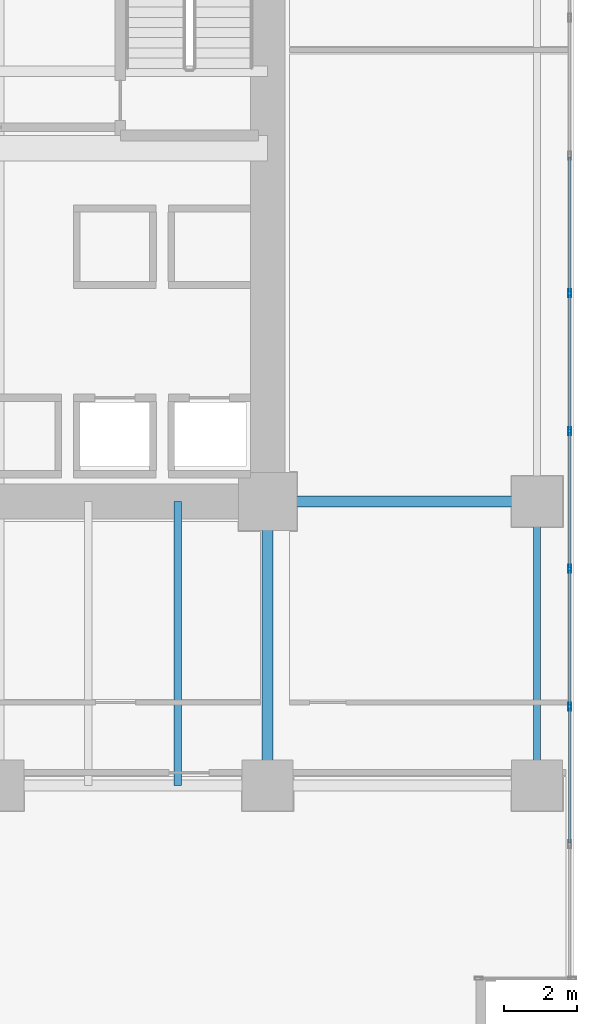
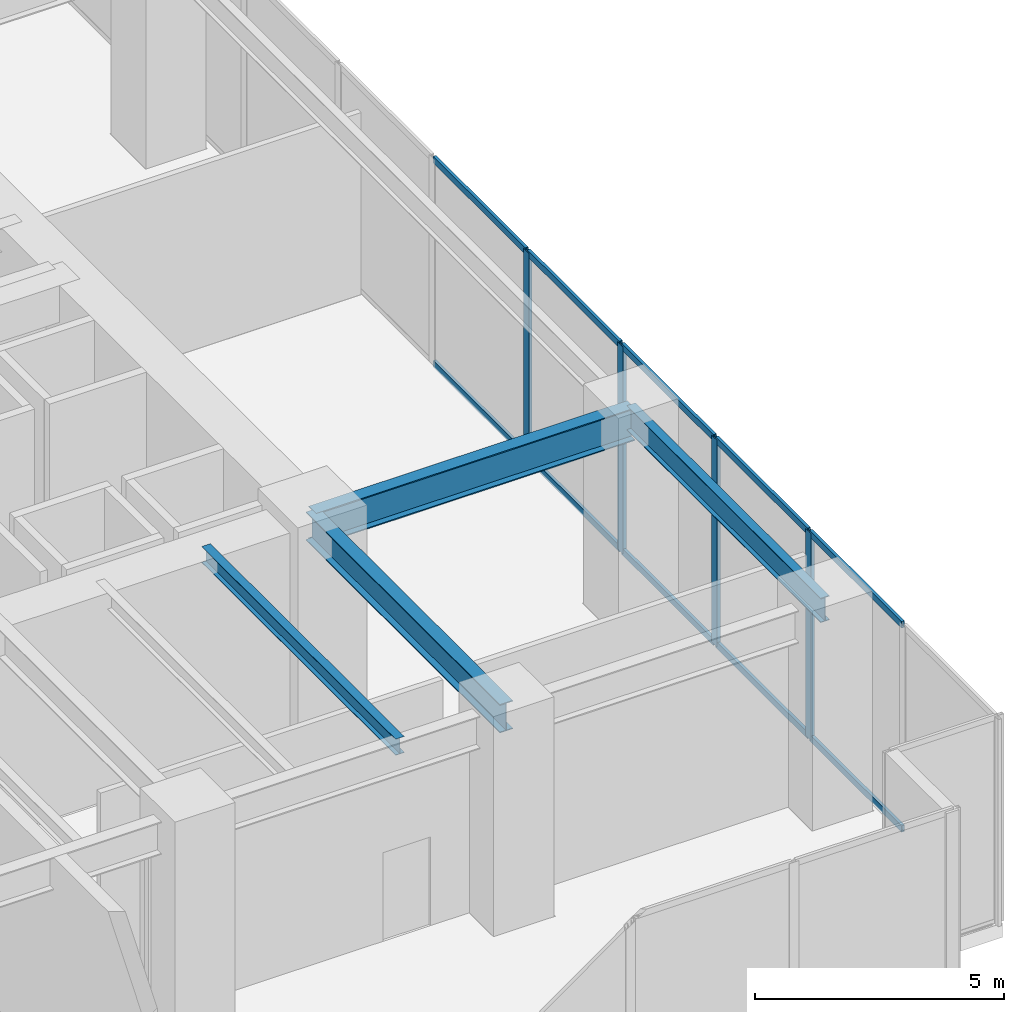
# One storey, part 20 of 35: 14 members, 4 beams, 1 element without a shape of its own.
"""IFC4 building model written with IfcOpenShell, lengths in metres."""

import ifcopenshell
import ifcopenshell.guid

model = None  # the IFC model being written
_history = None  # IfcOwnerHistory: only IFC2X3 demands one
_inside = {}  # id of a spatial element -> (the spatial element, [elements in it])
_under = {}  # id of a project, library or spatial element -> (it, [spatial elements below it])
_declared = {}  # id of a project -> (the project, [libraries it declares])
_typed = {}  # id of a type object -> (the type object, [elements of that type])
_made_of = {}  # id of a material, layer set ... -> (it, [elements and type objects made of it])


def new_model(schema):
    """Start an empty IFC model of exactly this schema.

    Asked for "IFC4X3", IfcOpenShell would pick the latest addendum, in which some entities
    have other attributes; the version numbers below select the first issue.
    IFC2X3 requires an IfcOwnerHistory on every rooted entity: one is made here for all.
    """
    global model, _history
    if schema == "IFC4X3":
        model = ifcopenshell.file(schema_version=(4, 3, 0, 0))
    else:
        model = ifcopenshell.file(schema=schema)
    _inside.clear()
    _under.clear()
    _declared.clear()
    _typed.clear()
    _made_of.clear()
    _history = None
    if model.schema == "IFC2X3":
        org = make("IfcOrganization", Name="unknown")
        user = make(
            "IfcPersonAndOrganization",
            ThePerson=make("IfcPerson", FamilyName="unknown"),
            TheOrganization=org,
        )
        app = make(
            "IfcApplication",
            ApplicationDeveloper=org,
            Version="unknown",
            ApplicationFullName="unknown",
            ApplicationIdentifier="unknown",
        )
        _history = make(
            "IfcOwnerHistory",
            OwningUser=user,
            OwningApplication=app,
            ChangeAction="ADDED",
            CreationDate=0,
        )
    return model


def make(cls, **values):
    """One entity of the class cls with the attributes given. An attribute that is None is left unset."""
    return model.create_entity(
        cls, **{name: value for name, value in values.items() if value is not None}
    )


def rooted(cls, **values):
    """An entity with a GlobalId (a new one), such as an element, a storey or a relation."""
    return make(cls, GlobalId=ifcopenshell.guid.new(), OwnerHistory=_history, **values)


def si_unit(unit_type, name, prefix=None):
    """IfcSIUnit, for example si_unit("LENGTHUNIT", "METRE", prefix="MILLI")."""
    return make("IfcSIUnit", UnitType=unit_type, Prefix=prefix, Name=name)


def assignment(units):
    """IfcUnitAssignment: the units of a project."""
    return None if units is None else make("IfcUnitAssignment", Units=units)


def point(xyz):
    """IfcCartesianPoint."""
    return None if xyz is None else make("IfcCartesianPoint", Coordinates=xyz)


def direction(xyz):
    """IfcDirection."""
    return None if xyz is None else make("IfcDirection", DirectionRatios=xyz)


def frame(location, z_axis=None, x_axis=None):
    """IfcAxis2Placement3D, a coordinate frame: its origin and axes. An axis left out is left unset."""
    return make(
        "IfcAxis2Placement3D",
        Location=point(location),
        Axis=direction(z_axis),
        RefDirection=direction(x_axis),
    )


def frame_2d(location, x_axis=None):
    """IfcAxis2Placement2D, a coordinate frame in the plane: its origin and x axis."""
    return make(
        "IfcAxis2Placement2D", Location=point(location), RefDirection=direction(x_axis)
    )


def origin():
    """The frame at (0, 0, 0) with its axes left unset."""
    return frame((0.0, 0.0, 0.0))


def origin_2d():
    """The frame at (0, 0) in the plane with its x axis left unset."""
    return frame_2d((0.0, 0.0))


def place(relative_to, where):
    """IfcLocalPlacement: puts the frame where relative to a parent placement (None: the world)."""
    return make(
        "IfcLocalPlacement", PlacementRelTo=relative_to, RelativePlacement=where
    )


def context(
    kind, dimensions, precision=None, world=None, true_north=None, identifier=None
):
    """IfcGeometricRepresentationContext, for example the 3D "Model" context."""
    return make(
        "IfcGeometricRepresentationContext",
        ContextIdentifier=identifier,
        ContextType=kind,
        CoordinateSpaceDimension=dimensions,
        Precision=precision,
        WorldCoordinateSystem=world,
        TrueNorth=true_north,
    )


def subcontext(parent, identifier, kind, view, scale=None):
    """IfcGeometricRepresentationSubContext, for example "Body" below "Model"."""
    return make(
        "IfcGeometricRepresentationSubContext",
        ContextIdentifier=identifier,
        ContextType=kind,
        ParentContext=parent,
        TargetScale=scale,
        TargetView=view,
    )


def project(units=None, contexts=None):
    """IfcProject with its units and contexts."""
    return rooted(
        "IfcProject",
        Name="project",
        RepresentationContexts=contexts,
        UnitsInContext=assignment(units),
    )


def spatial(cls, under=None, at=None, **own):
    """A site, building, storey or space (cls), placed at a placement, below another one or the project."""
    s = rooted(cls, ObjectPlacement=at, **own)
    if under is not None:
        _under.setdefault(under.id(), (under, []))[1].append(s)
    return s


def profile(cls, at=None, kind="AREA", **sizes):
    """A parametric profile (cls). Its sizes go by their IFC names, for example OverallWidth=200.0."""
    return make(cls, ProfileType=kind, Position=at, **sizes)


def hollow_rectangle(**sizes):
    """IfcRectangleHollowProfileDef."""
    return profile("IfcRectangleHollowProfileDef", **sizes)


def i_section(**sizes):
    """IfcIShapeProfileDef."""
    return profile("IfcIShapeProfileDef", **sizes)


def extrude(swept, where, along, depth):
    """IfcExtrudedAreaSolid: the profile swept, set in the frame where, extruded along a direction by depth."""
    return make(
        "IfcExtrudedAreaSolid",
        SweptArea=swept,
        Position=where,
        ExtrudedDirection=direction(along),
        Depth=depth,
    )


def shape(context_of_items, identifier, shape_type, items):
    """IfcShapeRepresentation: the items that make up one representation, for example the "Body"."""
    return make(
        "IfcShapeRepresentation",
        ContextOfItems=context_of_items,
        RepresentationIdentifier=identifier,
        RepresentationType=shape_type,
        Items=items,
    )


def source(mapping_origin, context_of_items, identifier, shape_type, items):
    """IfcRepresentationMap: a shape defined once, which mapped items show again and again."""
    return make(
        "IfcRepresentationMap",
        MappingOrigin=mapping_origin,
        MappedRepresentation=shape(context_of_items, identifier, shape_type, items),
    )


def transform(
    local_origin,
    x_axis=None,
    y_axis=None,
    z_axis=None,
    scale=None,
    scale2=None,
    scale3=None,
    uniform=True,
):
    """IfcCartesianTransformationOperator3D, or its non-uniform kind. x_axis, y_axis, z_axis: its Axis1, 2, 3."""
    if uniform:
        return make(
            "IfcCartesianTransformationOperator3D",
            Axis1=direction(x_axis),
            Axis2=direction(y_axis),
            LocalOrigin=point(local_origin),
            Scale=scale,
            Axis3=direction(z_axis),
        )
    return make(
        "IfcCartesianTransformationOperator3DnonUniform",
        Axis1=direction(x_axis),
        Axis2=direction(y_axis),
        LocalOrigin=point(local_origin),
        Scale=scale,
        Axis3=direction(z_axis),
        Scale2=scale2,
        Scale3=scale3,
    )


def mapped(mapping_source, mapping_target):
    """IfcMappedItem: shows the shape of a source again, moved by a transform."""
    return make(
        "IfcMappedItem", MappingSource=mapping_source, MappingTarget=mapping_target
    )


def material(Name=None, Category=None):
    """IfcMaterial."""
    return make("IfcMaterial", Name=Name, Category=Category)


def layer(
    of_material, thickness, ventilated=None, Name=None, Category=None, Priority=None
):
    """IfcMaterialLayer: one layer of a wall or slab, of a material (None: an air gap)."""
    return make(
        "IfcMaterialLayer",
        Material=of_material,
        LayerThickness=thickness,
        IsVentilated=ventilated,
        Name=Name,
        Category=Category,
        Priority=Priority,
    )


def layer_set(layers, Name=None):
    """IfcMaterialLayerSet."""
    return make("IfcMaterialLayerSet", MaterialLayers=layers, LayerSetName=Name)


def material_profile(
    of_material, cross_section, Name=None, Category=None, Priority=None
):
    """IfcMaterialProfile: a cross section and its material."""
    return make(
        "IfcMaterialProfile",
        Name=Name,
        Material=of_material,
        Profile=cross_section,
        Priority=Priority,
        Category=Category,
    )


def profile_set(profiles, Name=None, composite=None):
    """IfcMaterialProfileSet."""
    return make(
        "IfcMaterialProfileSet",
        Name=Name,
        MaterialProfiles=profiles,
        CompositeProfile=composite,
    )


def made_of(thing, what):
    """Note that an element or type object is made of a material, layer set ...; save() writes the relation."""
    if what is not None:
        _made_of.setdefault(what.id(), (what, []))[1].append(thing)
    return thing


def type_object(cls, material=None, **own):
    """A type object (cls), such as IfcWallType, which elements share."""
    return made_of(rooted(cls, **own), material)


def type_shapes(of_type, sources):
    """Give a type object the sources (RepresentationMaps) that its elements show as mapped items."""
    of_type.RepresentationMaps = sources


def element(
    cls,
    number,
    at=None,
    inside=None,
    cuts=None,
    type_object=None,
    material=None,
    context=None,
    identifier="Body",
    shape_type=None,
    held_by="IfcProductDefinitionShape",
    body=None,
    shapes=None,
    **own,
):
    """One element of the class cls, such as IfcWall. Its Tag is "e" and its number.

    at: its placement. inside: the storey or other place that contains it. cuts: it is an
    opening in that element (IfcRelVoidsElement). A single representation is given by context,
    identifier, shape_type and body (its items); several are given by shapes. held_by: the class
    of the entity that holds the representations. save() writes the other relations.
    """
    e = rooted(cls, Tag="e%d" % number, ObjectPlacement=at, **own)
    if body is not None:
        shapes = [shape(context, identifier, shape_type, body)]
    if shapes is not None:
        e.Representation = make(held_by, Representations=shapes)
    if inside is not None:
        _inside.setdefault(inside.id(), (inside, []))[1].append(e)
    if cuts is not None:
        rooted(
            "IfcRelVoidsElement", RelatingBuildingElement=cuts, RelatedOpeningElement=e
        )
    if type_object is not None:
        _typed.setdefault(type_object.id(), (type_object, []))[1].append(e)
    return made_of(e, material)


def aggregate(whole, parts):
    """IfcRelAggregates: a whole, such as a stair, and the parts it consists of."""
    return rooted("IfcRelAggregates", RelatingObject=whole, RelatedObjects=parts)


def save(model, path):
    """Write the relations noted so far, then the file.

    IfcRelAggregates (storeys below a building ...), IfcRelContainedInSpatialStructure (elements
    in a storey), IfcRelDefinesByType, IfcRelAssociatesMaterial and IfcRelDeclares: one each for
    every whole, place, type object, material and project.
    """
    for whole, parts in _under.values():
        aggregate(whole, parts)
    for where, things in _inside.values():
        rooted(
            "IfcRelContainedInSpatialStructure",
            RelatedElements=things,
            RelatingStructure=where,
        )
    for kind, things in _typed.values():
        rooted("IfcRelDefinesByType", RelatedObjects=things, RelatingType=kind)
    for what, things in _made_of.values():
        rooted("IfcRelAssociatesMaterial", RelatedObjects=things, RelatingMaterial=what)
    for by, libraries in _declared.values():
        rooted("IfcRelDeclares", RelatingContext=by, RelatedDefinitions=libraries)
    model.write(path)


model = new_model("IFC4")

# Units and contexts
model_context = context("Model", 3, precision=1e-05, world=origin(), true_north=direction((0.0, 1.0)))
body_context = subcontext(model_context, "Body", "Model", "MODEL_VIEW")
ifc_project = project(units=[si_unit("LENGTHUNIT", "METRE"), si_unit("AREAUNIT", "SQUARE_METRE"), si_unit("VOLUMEUNIT", "CUBIC_METRE"), si_unit("PLANEANGLEUNIT", "RADIAN"), si_unit("MASSUNIT", "GRAM", prefix="KILO")], contexts=[model_context])

# Site, building, storey
site_placement = place(None, origin())
site = spatial("IfcSite", under=ifc_project, at=site_placement, CompositionType="ELEMENT")
building_placement = place(site_placement, origin())
building = spatial("IfcBuilding", under=site, at=building_placement, Name="Haelvirn Gate Laboratories", CompositionType="ELEMENT")
storey_placement = place(building_placement, frame((0.0, 0.0, 19.800048828125)))
storey = spatial("IfcBuildingStorey", under=building, at=storey_placement, Name="L05", CompositionType="ELEMENT", Elevation=19.800048828125)

# Beams
ifc_material_1 = material(Name="Steel SM420", Category="steel")
ifc_material_profile_1 = material_profile(ifc_material_1, i_section(OverallWidth=0.300048828125, OverallDepth=0.800048828125, WebThickness=0.013916015625, FlangeThickness=0.02587890625, at=origin_2d()), Name="H-800x300x14x26")
ifc_profile_set_1 = profile_set([ifc_material_profile_1], Name="Steel SM420")
beam_type_1 = type_object("IfcBeamType", Name="BM-G-800", PredefinedType="BEAM", material=ifc_profile_set_1)
shared_shape_1 = source(origin(), body_context, "Body", "SweptSolid", [
    extrude(i_section(OverallWidth=0.300048828125, OverallDepth=0.800048828125, WebThickness=0.013916015625, FlangeThickness=0.02587890625, at=origin_2d()), origin(), (0.0, 0.0, 1.0), 7.400146484375),
])
type_shapes(beam_type_1, [shared_shape_1])
beam_1_placement = place(storey_placement, frame((67.39990234375, 14.800048828125, 4.679931640625), z_axis=(1.0, 0.0, 0.0), x_axis=(0.0, 1.0, 0.0)))
element("IfcBeam", 1, at=beam_1_placement, inside=storey, type_object=beam_type_1, Name="L05 Primary Girder Y14.8 (67.4-74.8)", PredefinedType="BEAM", context=body_context, shape_type="MappedRepresentation", body=[
    mapped(shared_shape_1, transform((0.0, 0.0, 0.0), scale=1.0)),
])
ifc_material_2 = material(Name="Steel SM355", Category="steel")
ifc_material_profile_2 = material_profile(ifc_material_2, i_section(OverallWidth=0.199951171875, OverallDepth=0.60009765625, WebThickness=0.010986328125, FlangeThickness=0.01708984375, at=origin_2d()), Name="H-600x200x11x17")
ifc_profile_set_2 = profile_set([ifc_material_profile_2], Name="Steel SM355")
beam_type_2 = type_object("IfcBeamType", Name="BM-SP-600", PredefinedType="SPANDREL", material=ifc_profile_set_2)
shared_shape_2 = source(origin(), body_context, "Body", "SweptSolid", [
    extrude(i_section(OverallWidth=0.199951171875, OverallDepth=0.60009765625, WebThickness=0.010986328125, FlangeThickness=0.01708984375, at=origin_2d()), origin(), (0.0, 0.0, 1.0), 7.800048828125),
])
type_shapes(beam_type_2, [shared_shape_2])
beam_2_placement = place(storey_placement, frame((74.800048828125, 7.0, 4.780029296875), z_axis=(0.0, 1.0, 0.0), x_axis=(-1.0, 0.0, 0.0)))
element("IfcBeam", 2, at=beam_2_placement, inside=storey, type_object=beam_type_2, Name="L05 Perimeter Spandrel X74.8 (7.0-14.8)", PredefinedType="SPANDREL", context=body_context, shape_type="MappedRepresentation", body=[
    mapped(shared_shape_2, transform((0.0, 0.0, 0.0), scale=1.0)),
])
ifc_material_profile_3 = material_profile(ifc_material_2, i_section(OverallWidth=0.199951171875, OverallDepth=0.39990234375, WebThickness=0.008056640625, FlangeThickness=0.012939453125, at=origin_2d()), Name="H-400x200x8x13")
ifc_profile_set_3 = profile_set([ifc_material_profile_3], Name="Steel SM355")
beam_type_3 = type_object("IfcBeamType", Name="BM-J-400", PredefinedType="JOIST", material=ifc_profile_set_3)
shared_shape_3 = source(origin(), body_context, "Body", "SweptSolid", [
    extrude(i_section(OverallWidth=0.199951171875, OverallDepth=0.39990234375, WebThickness=0.008056640625, FlangeThickness=0.012939453125, at=origin_2d()), origin(), (0.0, 0.0, 1.0), 7.800048828125),
])
type_shapes(beam_type_3, [shared_shape_3])
beam_3_placement = place(storey_placement, frame((64.929931640625, 7.0, 4.8798828125), z_axis=(0.0, 1.0, 0.0), x_axis=(-1.0, 0.0, 0.0)))
element("IfcBeam", 3, at=beam_3_placement, inside=storey, type_object=beam_type_3, Name="L05 Composite Lab Joist South X64.93", PredefinedType="JOIST", context=body_context, shape_type="MappedRepresentation", body=[
    mapped(shared_shape_3, transform((0.0, 0.0, 0.0), scale=1.0)),
])
ifc_material_profile_4 = material_profile(ifc_material_2, i_section(OverallWidth=0.300048828125, OverallDepth=0.699951171875, WebThickness=0.012939453125, FlangeThickness=0.02392578125, at=origin_2d()), Name="H-700x300x13x24")
ifc_profile_set_4 = profile_set([ifc_material_profile_4], Name="Steel SM355")
beam_type_4 = type_object("IfcBeamType", Name="BM-G-700", PredefinedType="BEAM", material=ifc_profile_set_4)
shared_shape_4 = source(origin(), body_context, "Body", "SweptSolid", [
    extrude(i_section(OverallWidth=0.300048828125, OverallDepth=0.699951171875, WebThickness=0.012939453125, FlangeThickness=0.02392578125, at=origin_2d()), origin(), (0.0, 0.0, 1.0), 7.800048828125),
])
type_shapes(beam_type_4, [shared_shape_4])
beam_4_placement = place(storey_placement, frame((67.39990234375, 7.0, 4.72998046875), z_axis=(0.0, 1.0, 0.0), x_axis=(-1.0, 0.0, 0.0)))
element("IfcBeam", 4, at=beam_4_placement, inside=storey, type_object=beam_type_4, Name="L05 Frame Girder X67.4 (7.0-14.8)", PredefinedType="BEAM", context=body_context, shape_type="MappedRepresentation", body=[
    mapped(shared_shape_4, transform((0.0, 0.0, 0.0), scale=1.0)),
])

# Curtain wall, members
ifc_material_3 = material(Name="Anodised bronze unitised aluminium & triple low-E glass", Category="aluminium")
ifc_layer = layer(ifc_material_3, 0.18798828125, Name="CW-SYS-1")
ifc_layer_set = layer_set([ifc_layer], Name="Anodised bronze unitised aluminium & triple low-E glass")
curtain_wall_type = type_object("IfcCurtainWallType", Name="CW-SYS-1", PredefinedType="NOTDEFINED", material=ifc_layer_set)
curtain_wall_placement = place(storey_placement, origin())
curtain_wall = element("IfcCurtainWall", 5, at=curtain_wall_placement, inside=storey, type_object=curtain_wall_type, Name="L05 Unitised Curtain Wall CW-L05-P0-E03", PredefinedType="NOTDEFINED")
ifc_material_4 = material(Name="Extruded aluminium 6063-T6 (anodised bronze)", Category="aluminium")
ifc_material_profile_5 = material_profile(ifc_material_4, hollow_rectangle(XDim=0.070068359375, YDim=0.159912109375, WallThickness=0.0048828125, at=origin_2d()), Name="CWT-160x70x5")
ifc_profile_set_5 = profile_set([ifc_material_profile_5], Name="Extruded aluminium 6063-T6 (anodised bronze)")
member_type_1 = type_object("IfcMemberType", Name="CWT-T160", PredefinedType="USERDEFINED", material=ifc_profile_set_5)
shared_shape_5 = source(origin(), body_context, "Body", "SweptSolid", [
    extrude(hollow_rectangle(XDim=0.070068359375, YDim=0.159912109375, WallThickness=0.0048828125, at=origin_2d()), origin(), (0.0, 0.0, 1.0), 3.703369140625),
])
member_1_placement = place(storey_placement, frame((75.699951171875, 5.42333984375, 0.034912109375), z_axis=(0.0, 1.0, 0.0), x_axis=(-1.0, 0.0, 0.0)))
member_1 = element("IfcMember", 6, at=member_1_placement, type_object=member_type_1, Name="CW1 transom 2.1", ObjectType="TRANSOM", PredefinedType="USERDEFINED", context=body_context, shape_type="MappedRepresentation", body=[
    mapped(shared_shape_5, transform((0.0, 0.0, 0.0), scale=1.0)),
])
member_2_placement = place(storey_placement, frame((75.699951171875, 5.42333984375, 5.044921875), z_axis=(0.0, 1.0, 0.0), x_axis=(-1.0, 0.0, 0.0)))
member_2 = element("IfcMember", 7, at=member_2_placement, type_object=member_type_1, Name="CW1 transom 2.2", ObjectType="TRANSOM", PredefinedType="USERDEFINED", context=body_context, shape_type="MappedRepresentation", body=[
    mapped(shared_shape_5, transform((0.0, 0.0, 0.0), scale=1.0)),
])
member_3_placement = place(storey_placement, frame((75.699951171875, 12.989990234375, 0.034912109375), z_axis=(0.0, 1.0, 0.0), x_axis=(-1.0, 0.0, 0.0)))
member_3 = element("IfcMember", 8, at=member_3_placement, type_object=member_type_1, Name="CW1 transom 4.1", ObjectType="TRANSOM", PredefinedType="USERDEFINED", context=body_context, shape_type="MappedRepresentation", body=[
    mapped(shared_shape_5, transform((0.0, 0.0, 0.0), scale=1.0)),
])
member_4_placement = place(storey_placement, frame((75.699951171875, 12.989990234375, 5.044921875), z_axis=(0.0, 1.0, 0.0), x_axis=(-1.0, 0.0, 0.0)))
member_4 = element("IfcMember", 9, at=member_4_placement, type_object=member_type_1, Name="CW1 transom 4.2", ObjectType="TRANSOM", PredefinedType="USERDEFINED", context=body_context, shape_type="MappedRepresentation", body=[
    mapped(shared_shape_5, transform((0.0, 0.0, 0.0), scale=1.0)),
])
member_5_placement = place(storey_placement, frame((75.699951171875, 20.556640625, 0.034912109375), z_axis=(0.0, 1.0, 0.0), x_axis=(-1.0, 0.0, 0.0)))
member_5 = element("IfcMember", 10, at=member_5_placement, type_object=member_type_1, Name="CW1 transom 6.1", ObjectType="TRANSOM", PredefinedType="USERDEFINED", context=body_context, shape_type="MappedRepresentation", body=[
    mapped(shared_shape_5, transform((0.0, 0.0, 0.0), scale=1.0)),
])
member_6_placement = place(storey_placement, frame((75.699951171875, 20.556640625, 5.044921875), z_axis=(0.0, 1.0, 0.0), x_axis=(-1.0, 0.0, 0.0)))
member_6 = element("IfcMember", 11, at=member_6_placement, type_object=member_type_1, Name="CW1 transom 6.2", ObjectType="TRANSOM", PredefinedType="USERDEFINED", context=body_context, shape_type="MappedRepresentation", body=[
    mapped(shared_shape_5, transform((0.0, 0.0, 0.0), scale=1.0)),
])
shared_shape_6 = source(origin(), body_context, "Body", "SweptSolid", [
    extrude(hollow_rectangle(XDim=0.070068359375, YDim=0.159912109375, WallThickness=0.0048828125, at=origin_2d()), origin(), (0.0, 0.0, 1.0), 3.703125),
])
type_shapes(member_type_1, [shared_shape_5, shared_shape_6])
member_7_placement = place(storey_placement, frame((75.699951171875, 9.206787109375, 0.034912109375), z_axis=(0.0, 1.0, 0.0), x_axis=(-1.0, 0.0, 0.0)))
member_7 = element("IfcMember", 12, at=member_7_placement, type_object=member_type_1, Name="CW1 transom 3.1", ObjectType="TRANSOM", PredefinedType="USERDEFINED", context=body_context, shape_type="MappedRepresentation", body=[
    mapped(shared_shape_6, transform((0.0, 0.0, 0.0), scale=1.0)),
])
member_8_placement = place(storey_placement, frame((75.699951171875, 9.206787109375, 5.044921875), z_axis=(0.0, 1.0, 0.0), x_axis=(-1.0, 0.0, 0.0)))
member_8 = element("IfcMember", 13, at=member_8_placement, type_object=member_type_1, Name="CW1 transom 3.2", ObjectType="TRANSOM", PredefinedType="USERDEFINED", context=body_context, shape_type="MappedRepresentation", body=[
    mapped(shared_shape_6, transform((0.0, 0.0, 0.0), scale=1.0)),
])
member_9_placement = place(storey_placement, frame((75.699951171875, 16.7734375, 0.034912109375), z_axis=(0.0, 1.0, 0.0), x_axis=(-1.0, 0.0, 0.0)))
member_9 = element("IfcMember", 14, at=member_9_placement, type_object=member_type_1, Name="CW1 transom 5.1", ObjectType="TRANSOM", PredefinedType="USERDEFINED", context=body_context, shape_type="MappedRepresentation", body=[
    mapped(shared_shape_6, transform((0.0, 0.0, 0.0), scale=1.0)),
])
member_10_placement = place(storey_placement, frame((75.699951171875, 16.7734375, 5.044921875), z_axis=(0.0, 1.0, 0.0), x_axis=(-1.0, 0.0, 0.0)))
member_10 = element("IfcMember", 15, at=member_10_placement, type_object=member_type_1, Name="CW1 transom 5.2", ObjectType="TRANSOM", PredefinedType="USERDEFINED", context=body_context, shape_type="MappedRepresentation", body=[
    mapped(shared_shape_6, transform((0.0, 0.0, 0.0), scale=1.0)),
])
ifc_material_profile_6 = material_profile(ifc_material_4, hollow_rectangle(XDim=0.080078125, YDim=0.219970703125, WallThickness=0.006103515625, at=origin_2d()), Name="CWM-220x80x6")
ifc_profile_set_6 = profile_set([ifc_material_profile_6], Name="Extruded aluminium 6063-T6 (anodised bronze)")
member_type_2 = type_object("IfcMemberType", Name="CWM-T220", PredefinedType="MULLION", material=ifc_profile_set_6)
shared_shape_7 = source(origin(), body_context, "Body", "SweptSolid", [
    extrude(hollow_rectangle(XDim=0.080078125, YDim=0.219970703125, WallThickness=0.006103515625, at=origin_2d()), origin(), (0.0, 0.0, 1.0), 5.079833984375),
])
type_shapes(member_type_2, [shared_shape_7])
member_11_placement = place(storey_placement, frame((75.699951171875, 9.166748046875, 0.0), z_axis=(0.0, 0.0, 1.0), x_axis=(-1.0, 0.0, 0.0)))
member_11 = element("IfcMember", 16, at=member_11_placement, type_object=member_type_2, Name="CW1 mullion 3", PredefinedType="MULLION", context=body_context, shape_type="MappedRepresentation", body=[
    mapped(shared_shape_7, transform((0.0, 0.0, 0.0), scale=1.0)),
])
member_12_placement = place(storey_placement, frame((75.699951171875, 12.949951171875, 0.0), z_axis=(0.0, 0.0, 1.0), x_axis=(-1.0, 0.0, 0.0)))
member_12 = element("IfcMember", 17, at=member_12_placement, type_object=member_type_2, Name="CW1 mullion 4", PredefinedType="MULLION", context=body_context, shape_type="MappedRepresentation", body=[
    mapped(shared_shape_7, transform((0.0, 0.0, 0.0), scale=1.0)),
])
member_13_placement = place(storey_placement, frame((75.699951171875, 16.7333984375, 0.0), z_axis=(0.0, 0.0, 1.0), x_axis=(-1.0, 0.0, 0.0)))
member_13 = element("IfcMember", 18, at=member_13_placement, type_object=member_type_2, Name="CW1 mullion 5", PredefinedType="MULLION", context=body_context, shape_type="MappedRepresentation", body=[
    mapped(shared_shape_7, transform((0.0, 0.0, 0.0), scale=1.0)),
])
member_14_placement = place(storey_placement, frame((75.699951171875, 20.5166015625, 0.0), z_axis=(0.0, 0.0, 1.0), x_axis=(-1.0, 0.0, 0.0)))
member_14 = element("IfcMember", 19, at=member_14_placement, type_object=member_type_2, Name="CW1 mullion 6", PredefinedType="MULLION", context=body_context, shape_type="MappedRepresentation", body=[
    mapped(shared_shape_7, transform((0.0, 0.0, 0.0), scale=1.0)),
])
aggregate(curtain_wall, [member_11, member_12, member_13, member_14, member_1, member_2, member_7, member_8, member_3, member_4, member_9, member_10, member_5, member_6])

save(model, "model.ifc")
